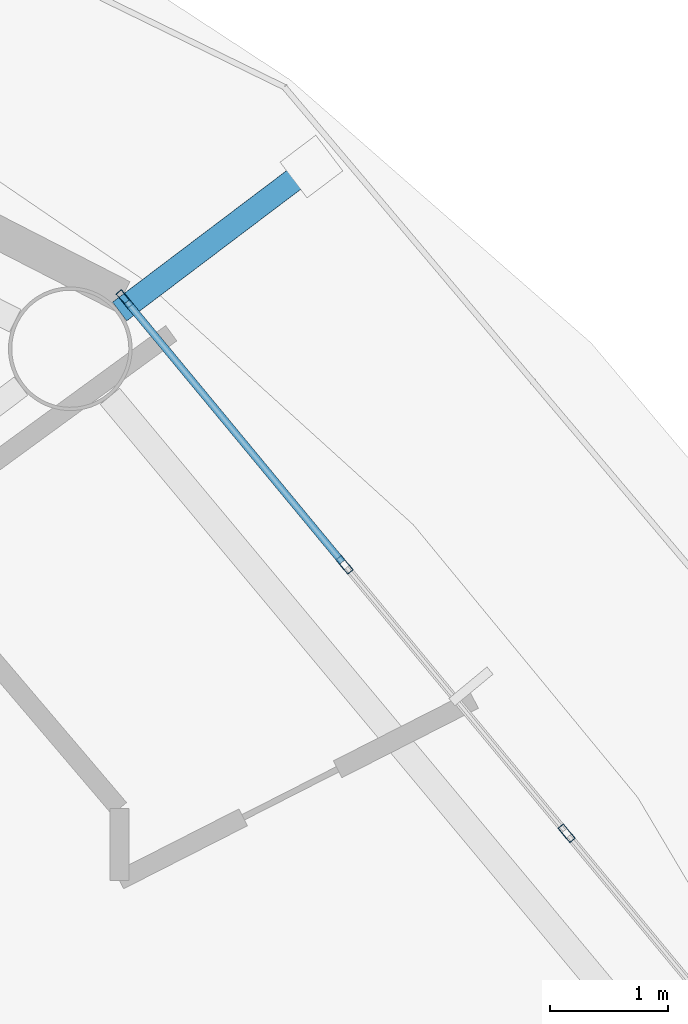
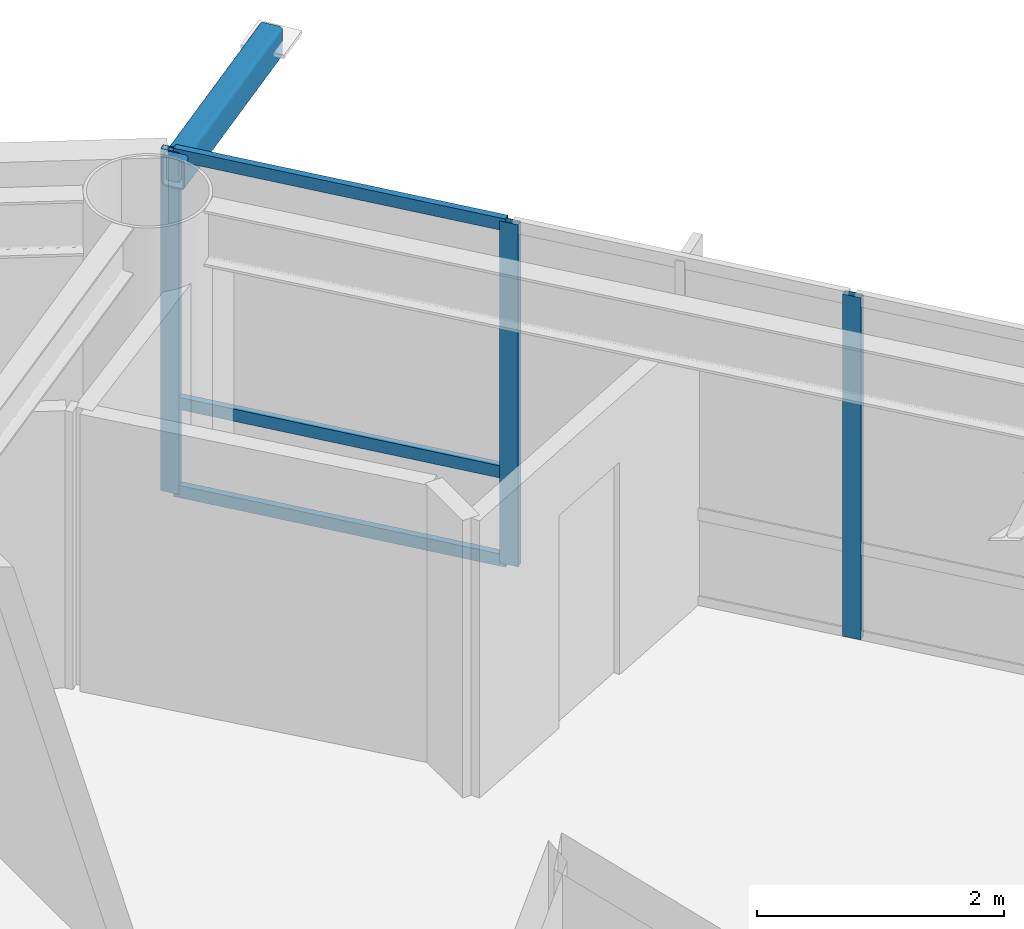
# One storey, part 15 of 30: 7 members, 1 element without a shape of its own.
"""IFC4 building model written with IfcOpenShell, lengths in metres."""

from ifc_helpers import new_model, si_unit, direction, frame, origin, origin_2d, place, context, subcontext, project, spatial, hollow_rectangle, extrude, material, layer, layer_set, material_profile, profile_set, type_object, element, aggregate, save


model = new_model("IFC4")

# Units and contexts
model_context = context("Model", 3, precision=1e-05, world=origin(), true_north=direction((0.0, 1.0)))
body_context = subcontext(model_context, "Body", "Model", "MODEL_VIEW")
ifc_project = project(units=[si_unit("LENGTHUNIT", "METRE"), si_unit("AREAUNIT", "SQUARE_METRE"), si_unit("VOLUMEUNIT", "CUBIC_METRE"), si_unit("PLANEANGLEUNIT", "RADIAN"), si_unit("MASSUNIT", "GRAM", prefix="KILO")], contexts=[model_context])

# Site, building, storey
site_placement = place(None, origin())
site = spatial("IfcSite", under=ifc_project, at=site_placement, CompositionType="ELEMENT")
building_placement = place(site_placement, origin())
building = spatial("IfcBuilding", under=site, at=building_placement, Name="Sarneth Arch Tower", CompositionType="ELEMENT")
storey_placement = place(building_placement, frame((0.0, 0.0, 168.60009765625)))
storey = spatial("IfcBuildingStorey", under=building, at=storey_placement, Name="L42", CompositionType="ELEMENT", Elevation=168.60009765625)

# Curtain wall, members
ifc_material_1 = material(Name="Anodised aluminium Type AA25 and solar-control low-e laminated IGU", Category="aluminium")
ifc_layer = layer(ifc_material_1, 0.169921875)
ifc_layer_set = layer_set([ifc_layer], Name="Anodised aluminium Type AA25 and solar-control low-e laminated IGU")
curtain_wall_type = type_object("IfcCurtainWallType", Name="CW-RES-MID", PredefinedType="NOTDEFINED", material=ifc_layer_set)
curtain_wall_placement = place(storey_placement, origin())
curtain_wall = element("IfcCurtainWall", 1, at=curtain_wall_placement, inside=storey, type_object=curtain_wall_type, Name="L42 Unitised curtain wall facet 02", PredefinedType="NOTDEFINED")
ifc_material_2 = material(Name="Anodised Aluminium 6063-T6", Category="aluminium")
ifc_material_profile_1 = material_profile(ifc_material_2, hollow_rectangle(XDim=0.06005859375, YDim=0.159912109375, WallThickness=0.00390625, at=origin_2d()), Name="AL-MULL-160x60x4")
ifc_profile_set_1 = profile_set([ifc_material_profile_1], Name="Anodised Aluminium 6063-T6")
member_type_1 = type_object("IfcMemberType", Name="CW-MULLION", PredefinedType="MULLION", material=ifc_profile_set_1)
member_1_placement = place(storey_placement, frame((71.346923828125, 52.3466796875, 0.0), z_axis=(0.0, 0.0, 1.0), x_axis=(-0.770590741276, -0.637330298558, 0.0)))
member_1 = element("IfcMember", 2, at=member_1_placement, type_object=member_type_1, Name="CW-SYS-5 mullion 2", PredefinedType="MULLION", context=body_context, shape_type="SweptSolid", body=[
    extrude(hollow_rectangle(XDim=0.06005859375, YDim=0.159912109375, WallThickness=0.00390625, at=origin_2d()), origin(), (0.0, 0.0, 1.0), 3.3798828125),
])
member_2_placement = place(storey_placement, frame((69.46142578125, 54.626220703125, 0.0), z_axis=(0.0, 0.0, 1.0), x_axis=(-0.770590741276, -0.637330298558, 0.0)))
member_2 = element("IfcMember", 3, at=member_2_placement, type_object=member_type_1, Name="CW-SYS-5 mullion 3", PredefinedType="MULLION", context=body_context, shape_type="SweptSolid", body=[
    extrude(hollow_rectangle(XDim=0.06005859375, YDim=0.159912109375, WallThickness=0.00390625, at=origin_2d()), origin(), (0.0, 0.0, 1.0), 3.3798828125),
])
member_3_placement = place(storey_placement, frame((67.59521484375, 56.8828125, 0.0), z_axis=(0.0, 0.0, 1.0), x_axis=(-0.770590741276, -0.637330298558, 0.0)))
member_3 = element("IfcMember", 4, at=member_3_placement, type_object=member_type_1, Name="CW-SYS-5 mullion 4", PredefinedType="MULLION", context=body_context, shape_type="SweptSolid", body=[
    extrude(hollow_rectangle(XDim=0.06005859375, YDim=0.159912109375, WallThickness=0.00390625, at=origin_2d()), origin(), (0.0, 0.0, 1.0), 3.3798828125),
])
ifc_material_3 = material(Name="Anodised Aluminium 6063-T6", Category="aluminium")
ifc_material_profile_2 = material_profile(ifc_material_3, hollow_rectangle(XDim=0.06005859375, YDim=0.1201171875, WallThickness=0.00390625, at=origin_2d()), Name="AL-TRAN-120x60x4")
ifc_profile_set_2 = profile_set([ifc_material_profile_2], Name="Anodised Aluminium 6063-T6")
member_type_2 = type_object("IfcMemberType", Name="CW-TRANSOM", PredefinedType="USERDEFINED", material=ifc_profile_set_2)
member_4_placement = place(storey_placement, frame((69.4423828125, 54.6494140625, 0.02978515625), z_axis=(-0.637358651504, 0.770567290607, 0.0), x_axis=(-0.770567290607, -0.637358651504, 0.0)))
member_4 = element("IfcMember", 5, at=member_4_placement, type_object=member_type_2, Name="CW-SYS-5 transom 3.1", ObjectType="TRANSOM", PredefinedType="USERDEFINED", context=body_context, shape_type="SweptSolid", body=[
    extrude(hollow_rectangle(XDim=0.06005859375, YDim=0.1201171875, WallThickness=0.00390625, at=origin_2d()), origin(), (0.0, 0.0, 1.0), 2.8681640625),
])
member_5_placement = place(storey_placement, frame((69.4423828125, 54.6494140625, 0.89990234375), z_axis=(-0.637358651504, 0.770567290607, 0.0), x_axis=(-0.770567290607, -0.637358651504, 0.0)))
member_5 = element("IfcMember", 6, at=member_5_placement, type_object=member_type_2, Name="CW-SYS-5 transom 3.2", ObjectType="TRANSOM", PredefinedType="USERDEFINED", context=body_context, shape_type="SweptSolid", body=[
    extrude(hollow_rectangle(XDim=0.06005859375, YDim=0.1201171875, WallThickness=0.00390625, at=origin_2d()), origin(), (0.0, 0.0, 1.0), 2.8681640625),
])
member_6_placement = place(storey_placement, frame((69.4423828125, 54.6494140625, 3.349853515625), z_axis=(-0.637358651504, 0.770567290607, 0.0), x_axis=(-0.770567290607, -0.637358651504, 0.0)))
member_6 = element("IfcMember", 7, at=member_6_placement, type_object=member_type_2, Name="CW-SYS-5 transom 3.3", ObjectType="TRANSOM", PredefinedType="USERDEFINED", context=body_context, shape_type="SweptSolid", body=[
    extrude(hollow_rectangle(XDim=0.06005859375, YDim=0.1201171875, WallThickness=0.00390625, at=origin_2d()), origin(), (0.0, 0.0, 1.0), 2.8681640625),
])
aggregate(curtain_wall, [member_1, member_2, member_3, member_4, member_5, member_6])

# Member
ifc_material_4 = material(Name="Steel S355", Category="steel")
ifc_material_profile_3 = material_profile(ifc_material_4, hollow_rectangle(XDim=0.199951171875, YDim=0.300048828125, WallThickness=0.012451171875, InnerFilletRadius=0.018798828125, OuterFilletRadius=0.03125, at=origin_2d()), Name="RHS300x200x12.5")
ifc_profile_set_3 = profile_set([ifc_material_profile_3], Name="Steel S355")
member_type_3 = type_object("IfcMemberType", Name="MEM-CANT-STRUT", PredefinedType="STRUT", material=ifc_profile_set_3)
member_7_placement = place(storey_placement, frame((67.552734375, 56.77685546875, 3.219970703125), z_axis=(0.797740730298, 0.603000603004, 0.0), x_axis=(-0.603000603004, 0.797740730298, 0.0)))
element("IfcMember", 8, at=member_7_placement, inside=storey, type_object=member_type_3, Name="L42 Balcony cantilever bracket 03", PredefinedType="STRUT", context=body_context, shape_type="SweptSolid", body=[
    extrude(hollow_rectangle(XDim=0.199951171875, YDim=0.300048828125, WallThickness=0.012451171875, InnerFilletRadius=0.018798828125, OuterFilletRadius=0.03125, at=origin_2d()), origin(), (0.0, 0.0, 1.0), 2.041015625),
])

save(model, "model.ifc")
